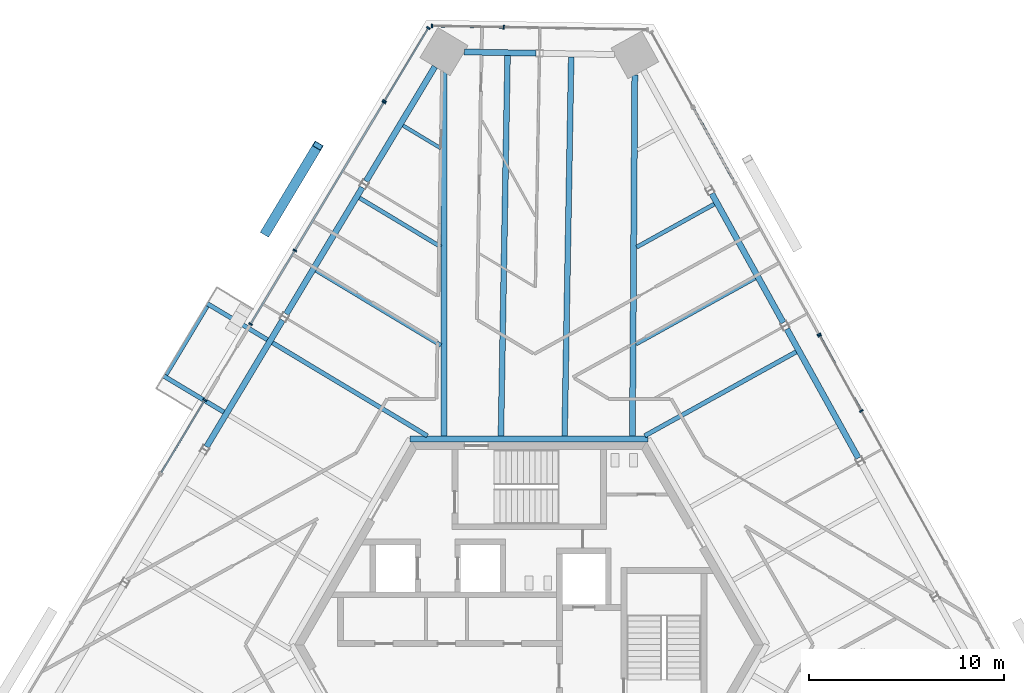
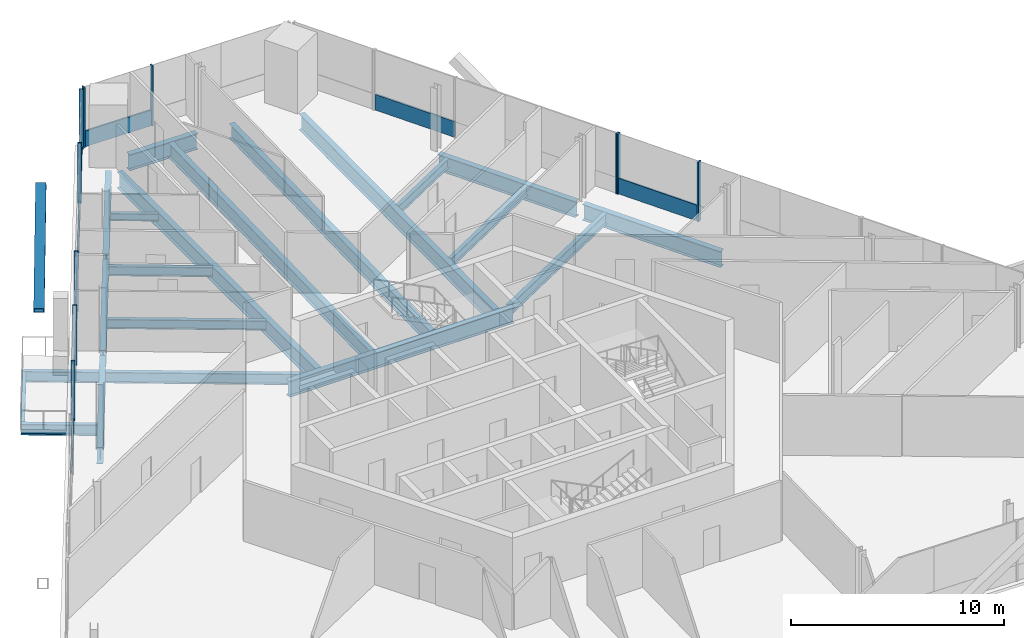
# One storey, part 8 of 19: 21 beams, 19 members, 6 elements without a shape of their own.
"""IFC4 building model written with IfcOpenShell, lengths in metres."""

import ifcopenshell
import ifcopenshell.guid

model = None  # the IFC model being written
_history = None  # IfcOwnerHistory: only IFC2X3 demands one
_inside = {}  # id of a spatial element -> (the spatial element, [elements in it])
_under = {}  # id of a project, library or spatial element -> (it, [spatial elements below it])
_declared = {}  # id of a project -> (the project, [libraries it declares])
_typed = {}  # id of a type object -> (the type object, [elements of that type])
_made_of = {}  # id of a material, layer set ... -> (it, [elements and type objects made of it])


def new_model(schema):
    """Start an empty IFC model of exactly this schema.

    Asked for "IFC4X3", IfcOpenShell would pick the latest addendum, in which some entities
    have other attributes; the version numbers below select the first issue.
    IFC2X3 requires an IfcOwnerHistory on every rooted entity: one is made here for all.
    """
    global model, _history
    if schema == "IFC4X3":
        model = ifcopenshell.file(schema_version=(4, 3, 0, 0))
    else:
        model = ifcopenshell.file(schema=schema)
    _inside.clear()
    _under.clear()
    _declared.clear()
    _typed.clear()
    _made_of.clear()
    _history = None
    if model.schema == "IFC2X3":
        org = make("IfcOrganization", Name="unknown")
        user = make(
            "IfcPersonAndOrganization",
            ThePerson=make("IfcPerson", FamilyName="unknown"),
            TheOrganization=org,
        )
        app = make(
            "IfcApplication",
            ApplicationDeveloper=org,
            Version="unknown",
            ApplicationFullName="unknown",
            ApplicationIdentifier="unknown",
        )
        _history = make(
            "IfcOwnerHistory",
            OwningUser=user,
            OwningApplication=app,
            ChangeAction="ADDED",
            CreationDate=0,
        )
    return model


def make(cls, **values):
    """One entity of the class cls with the attributes given. An attribute that is None is left unset."""
    return model.create_entity(
        cls, **{name: value for name, value in values.items() if value is not None}
    )


def rooted(cls, **values):
    """An entity with a GlobalId (a new one), such as an element, a storey or a relation."""
    return make(cls, GlobalId=ifcopenshell.guid.new(), OwnerHistory=_history, **values)


def si_unit(unit_type, name, prefix=None):
    """IfcSIUnit, for example si_unit("LENGTHUNIT", "METRE", prefix="MILLI")."""
    return make("IfcSIUnit", UnitType=unit_type, Prefix=prefix, Name=name)


def assignment(units):
    """IfcUnitAssignment: the units of a project."""
    return None if units is None else make("IfcUnitAssignment", Units=units)


def point(xyz):
    """IfcCartesianPoint."""
    return None if xyz is None else make("IfcCartesianPoint", Coordinates=xyz)


def direction(xyz):
    """IfcDirection."""
    return None if xyz is None else make("IfcDirection", DirectionRatios=xyz)


def frame(location, z_axis=None, x_axis=None):
    """IfcAxis2Placement3D, a coordinate frame: its origin and axes. An axis left out is left unset."""
    return make(
        "IfcAxis2Placement3D",
        Location=point(location),
        Axis=direction(z_axis),
        RefDirection=direction(x_axis),
    )


def frame_2d(location, x_axis=None):
    """IfcAxis2Placement2D, a coordinate frame in the plane: its origin and x axis."""
    return make(
        "IfcAxis2Placement2D", Location=point(location), RefDirection=direction(x_axis)
    )


def origin():
    """The frame at (0, 0, 0) with its axes left unset."""
    return frame((0.0, 0.0, 0.0))


def origin_2d():
    """The frame at (0, 0) in the plane with its x axis left unset."""
    return frame_2d((0.0, 0.0))


def place(relative_to, where):
    """IfcLocalPlacement: puts the frame where relative to a parent placement (None: the world)."""
    return make(
        "IfcLocalPlacement", PlacementRelTo=relative_to, RelativePlacement=where
    )


def context(
    kind, dimensions, precision=None, world=None, true_north=None, identifier=None
):
    """IfcGeometricRepresentationContext, for example the 3D "Model" context."""
    return make(
        "IfcGeometricRepresentationContext",
        ContextIdentifier=identifier,
        ContextType=kind,
        CoordinateSpaceDimension=dimensions,
        Precision=precision,
        WorldCoordinateSystem=world,
        TrueNorth=true_north,
    )


def subcontext(parent, identifier, kind, view, scale=None):
    """IfcGeometricRepresentationSubContext, for example "Body" below "Model"."""
    return make(
        "IfcGeometricRepresentationSubContext",
        ContextIdentifier=identifier,
        ContextType=kind,
        ParentContext=parent,
        TargetScale=scale,
        TargetView=view,
    )


def project(units=None, contexts=None):
    """IfcProject with its units and contexts."""
    return rooted(
        "IfcProject",
        Name="project",
        RepresentationContexts=contexts,
        UnitsInContext=assignment(units),
    )


def spatial(cls, under=None, at=None, **own):
    """A site, building, storey or space (cls), placed at a placement, below another one or the project."""
    s = rooted(cls, ObjectPlacement=at, **own)
    if under is not None:
        _under.setdefault(under.id(), (under, []))[1].append(s)
    return s


def profile(cls, at=None, kind="AREA", **sizes):
    """A parametric profile (cls). Its sizes go by their IFC names, for example OverallWidth=200.0."""
    return make(cls, ProfileType=kind, Position=at, **sizes)


def rectangle(**sizes):
    """IfcRectangleProfileDef."""
    return profile("IfcRectangleProfileDef", **sizes)


def hollow_rectangle(**sizes):
    """IfcRectangleHollowProfileDef."""
    return profile("IfcRectangleHollowProfileDef", **sizes)


def i_section(**sizes):
    """IfcIShapeProfileDef."""
    return profile("IfcIShapeProfileDef", **sizes)


def extrude(swept, where, along, depth):
    """IfcExtrudedAreaSolid: the profile swept, set in the frame where, extruded along a direction by depth."""
    return make(
        "IfcExtrudedAreaSolid",
        SweptArea=swept,
        Position=where,
        ExtrudedDirection=direction(along),
        Depth=depth,
    )


def shape(context_of_items, identifier, shape_type, items):
    """IfcShapeRepresentation: the items that make up one representation, for example the "Body"."""
    return make(
        "IfcShapeRepresentation",
        ContextOfItems=context_of_items,
        RepresentationIdentifier=identifier,
        RepresentationType=shape_type,
        Items=items,
    )


def source(mapping_origin, context_of_items, identifier, shape_type, items):
    """IfcRepresentationMap: a shape defined once, which mapped items show again and again."""
    return make(
        "IfcRepresentationMap",
        MappingOrigin=mapping_origin,
        MappedRepresentation=shape(context_of_items, identifier, shape_type, items),
    )


def transform(
    local_origin,
    x_axis=None,
    y_axis=None,
    z_axis=None,
    scale=None,
    scale2=None,
    scale3=None,
    uniform=True,
):
    """IfcCartesianTransformationOperator3D, or its non-uniform kind. x_axis, y_axis, z_axis: its Axis1, 2, 3."""
    if uniform:
        return make(
            "IfcCartesianTransformationOperator3D",
            Axis1=direction(x_axis),
            Axis2=direction(y_axis),
            LocalOrigin=point(local_origin),
            Scale=scale,
            Axis3=direction(z_axis),
        )
    return make(
        "IfcCartesianTransformationOperator3DnonUniform",
        Axis1=direction(x_axis),
        Axis2=direction(y_axis),
        LocalOrigin=point(local_origin),
        Scale=scale,
        Axis3=direction(z_axis),
        Scale2=scale2,
        Scale3=scale3,
    )


def mapped(mapping_source, mapping_target):
    """IfcMappedItem: shows the shape of a source again, moved by a transform."""
    return make(
        "IfcMappedItem", MappingSource=mapping_source, MappingTarget=mapping_target
    )


def material(Name=None, Category=None):
    """IfcMaterial."""
    return make("IfcMaterial", Name=Name, Category=Category)


def material_profile(
    of_material, cross_section, Name=None, Category=None, Priority=None
):
    """IfcMaterialProfile: a cross section and its material."""
    return make(
        "IfcMaterialProfile",
        Name=Name,
        Material=of_material,
        Profile=cross_section,
        Priority=Priority,
        Category=Category,
    )


def profile_set(profiles, Name=None, composite=None):
    """IfcMaterialProfileSet."""
    return make(
        "IfcMaterialProfileSet",
        Name=Name,
        MaterialProfiles=profiles,
        CompositeProfile=composite,
    )


def made_of(thing, what):
    """Note that an element or type object is made of a material, layer set ...; save() writes the relation."""
    if what is not None:
        _made_of.setdefault(what.id(), (what, []))[1].append(thing)
    return thing


def type_object(cls, material=None, **own):
    """A type object (cls), such as IfcWallType, which elements share."""
    return made_of(rooted(cls, **own), material)


def element(
    cls,
    number,
    at=None,
    inside=None,
    cuts=None,
    type_object=None,
    material=None,
    context=None,
    identifier="Body",
    shape_type=None,
    held_by="IfcProductDefinitionShape",
    body=None,
    shapes=None,
    **own,
):
    """One element of the class cls, such as IfcWall. Its Tag is "e" and its number.

    at: its placement. inside: the storey or other place that contains it. cuts: it is an
    opening in that element (IfcRelVoidsElement). A single representation is given by context,
    identifier, shape_type and body (its items); several are given by shapes. held_by: the class
    of the entity that holds the representations. save() writes the other relations.
    """
    e = rooted(cls, Tag="e%d" % number, ObjectPlacement=at, **own)
    if body is not None:
        shapes = [shape(context, identifier, shape_type, body)]
    if shapes is not None:
        e.Representation = make(held_by, Representations=shapes)
    if inside is not None:
        _inside.setdefault(inside.id(), (inside, []))[1].append(e)
    if cuts is not None:
        rooted(
            "IfcRelVoidsElement", RelatingBuildingElement=cuts, RelatedOpeningElement=e
        )
    if type_object is not None:
        _typed.setdefault(type_object.id(), (type_object, []))[1].append(e)
    return made_of(e, material)


def aggregate(whole, parts):
    """IfcRelAggregates: a whole, such as a stair, and the parts it consists of."""
    return rooted("IfcRelAggregates", RelatingObject=whole, RelatedObjects=parts)


def save(model, path):
    """Write the relations noted so far, then the file.

    IfcRelAggregates (storeys below a building ...), IfcRelContainedInSpatialStructure (elements
    in a storey), IfcRelDefinesByType, IfcRelAssociatesMaterial and IfcRelDeclares: one each for
    every whole, place, type object, material and project.
    """
    for whole, parts in _under.values():
        aggregate(whole, parts)
    for where, things in _inside.values():
        rooted(
            "IfcRelContainedInSpatialStructure",
            RelatedElements=things,
            RelatingStructure=where,
        )
    for kind, things in _typed.values():
        rooted("IfcRelDefinesByType", RelatedObjects=things, RelatingType=kind)
    for what, things in _made_of.values():
        rooted("IfcRelAssociatesMaterial", RelatedObjects=things, RelatingMaterial=what)
    for by, libraries in _declared.values():
        rooted("IfcRelDeclares", RelatingContext=by, RelatedDefinitions=libraries)
    model.write(path)


model = new_model("IFC4")

# Units and contexts
model_context = context("Model", 3, precision=1e-05, world=origin(), true_north=direction((0.0, 1.0)))
body_context = subcontext(model_context, "Body", "Model", "MODEL_VIEW")
ifc_project = project(units=[si_unit("LENGTHUNIT", "METRE"), si_unit("AREAUNIT", "SQUARE_METRE"), si_unit("VOLUMEUNIT", "CUBIC_METRE"), si_unit("PLANEANGLEUNIT", "RADIAN"), si_unit("MASSUNIT", "GRAM", prefix="KILO")], contexts=[model_context])

# Site, building, storey
site_placement = place(None, origin())
site = spatial("IfcSite", under=ifc_project, at=site_placement, CompositionType="ELEMENT")
building_placement = place(site_placement, origin())
building = spatial("IfcBuilding", under=site, at=building_placement, Name="Triune Harvest Tower", CompositionType="ELEMENT")
storey_placement = place(building_placement, frame((0.0, 0.0, 205.10009765625)))
storey = spatial("IfcBuildingStorey", under=building, at=storey_placement, Name="L53", CompositionType="ELEMENT", Elevation=205.10009765625)

# Curtain wall, member
ifc_material_1 = material(Name="Aluminium bronze anodised", Category="aluminium")
curtain_wall_type_1 = type_object("IfcCurtainWallType", Name="CW-6 Balcony window wall", PredefinedType="NOTDEFINED", material=ifc_material_1)
curtain_wall_1_placement = place(storey_placement, origin())
curtain_wall_1 = element("IfcCurtainWall", 1, at=curtain_wall_1_placement, inside=storey, type_object=curtain_wall_type_1, Name="CW-6 B5-F3 L53 run 1")
ifc_material_2 = material(Name="Aluminium bronze anodised", Category="aluminium")
ifc_material_profile_1 = material_profile(ifc_material_2, rectangle(XDim=0.090087890625, YDim=0.14990234375, at=origin_2d()), Name="TR-6 transom 90 x 150")
ifc_profile_set_1 = profile_set([ifc_material_profile_1], Name="Aluminium bronze anodised")
member_type_1 = type_object("IfcMemberType", Name="TR-6 transom 90 x 150", PredefinedType="USERDEFINED", material=ifc_profile_set_1)
member_1_placement = place(storey_placement, frame((-5.173095703125, 31.537353515625, 0.074951171875), z_axis=(-0.515014754983, -0.857181312296, 0.0), x_axis=(0.857181312296, -0.515014754983, 0.0)))
member_1 = element("IfcMember", 2, at=member_1_placement, type_object=member_type_1, Name="CW-6 transom B5-F3 1.1", ObjectType="TRANSOM", PredefinedType="USERDEFINED", context=body_context, shape_type="SweptSolid", body=[
    extrude(rectangle(XDim=0.090087890625, YDim=0.14990234375, at=origin_2d()), origin(), (0.0, 0.0, 1.0), 4.288330078125),
])

ifc_material_3 = material(Name="Aluminium bronze anodised", Category="aluminium")
curtain_wall_type_2 = type_object("IfcCurtainWallType", Name="CW-10 Balcony window wall with insulated spandrel infill", PredefinedType="NOTDEFINED", material=ifc_material_3)
curtain_wall_2_placement = place(storey_placement, origin())
curtain_wall_2 = element("IfcCurtainWall", 3, at=curtain_wall_2_placement, inside=storey, type_object=curtain_wall_type_2, Name="CW-10 B5-F3 L53 run 1001")
member_2_placement = place(storey_placement, frame((-12.01123046875, 20.15673828125, 0.074951171875), z_axis=(-0.515026868945, -0.857174033826, 0.0), x_axis=(0.857174033826, -0.515026868945, 0.0)))
member_2 = element("IfcMember", 4, at=member_2_placement, type_object=member_type_1, Name="CW-10 transom B5-F3 1001.2", ObjectType="TRANSOM", PredefinedType="USERDEFINED", context=body_context, shape_type="SweptSolid", body=[
    extrude(rectangle(XDim=0.090087890625, YDim=0.14990234375, at=origin_2d()), origin(), (0.0, 0.0, 1.0), 4.32568359375),
])

curtain_wall_3_placement = place(storey_placement, origin())
curtain_wall_3 = element("IfcCurtainWall", 5, at=curtain_wall_3_placement, inside=storey, type_object=curtain_wall_type_1, Name="CW-6 B5-F3 L53 run 2")
member_3_placement = place(storey_placement, frame((-16.613525390625, 12.496826171875, 0.074951171875), z_axis=(-0.515097413194, -0.857131643869, 0.0), x_axis=(0.857131643869, -0.515097413194, 0.0)))
member_3 = element("IfcMember", 6, at=member_3_placement, type_object=member_type_1, Name="CW-6 transom B5-F3 2.1", ObjectType="TRANSOM", PredefinedType="USERDEFINED", context=body_context, shape_type="SweptSolid", body=[
    extrude(rectangle(XDim=0.090087890625, YDim=0.14990234375, at=origin_2d()), origin(), (0.0, 0.0, 1.0), 4.295654296875),
])

# Beams
ifc_material_4 = material(Name="Steel ASTM A992 Gr 50", Category="steel")
ifc_material_profile_2 = material_profile(ifc_material_4, i_section(OverallWidth=0.3046875, OverallDepth=0.914306640625, WebThickness=0.0166015625, FlangeThickness=0.02587890625, at=origin_2d()), Name="W36x160")
ifc_profile_set_2 = profile_set([ifc_material_profile_2], Name="Steel ASTM A992 Gr 50")
beam_type_1 = type_object("IfcBeamType", Name="CG-1 Core ring girder W36x160", PredefinedType="BEAM", material=ifc_profile_set_2)
shared_shape_1 = source(origin(), body_context, "Body", "SweptSolid", [
    extrude(i_section(OverallWidth=0.3046875, OverallDepth=0.914306640625, WebThickness=0.0166015625, FlangeThickness=0.02587890625, at=origin_2d()), origin(), (0.0, 0.0, 1.0), 12.17578125),
])
beam_1_placement = place(storey_placement, frame((6.087890625, 10.544677734375, -0.6171875), z_axis=(-1.0, 0.0, 0.0), x_axis=(0.0, -1.0, 0.0)))
element("IfcBeam", 7, at=beam_1_placement, inside=storey, type_object=beam_type_1, Name="beam/L53/CG2", PredefinedType="BEAM", context=body_context, shape_type="MappedRepresentation", body=[
    mapped(shared_shape_1, transform((0.0, 0.0, 0.0), scale=1.0)),
])
ifc_material_5 = material(Name="Steel ASTM A992 Gr 50", Category="steel")
ifc_material_profile_3 = material_profile(ifc_material_5, i_section(OverallWidth=0.3046875, OverallDepth=0.914306640625, WebThickness=0.0166015625, FlangeThickness=0.02587890625, at=origin_2d()), Name="W36x160")
ifc_profile_set_3 = profile_set([ifc_material_profile_3], Name="Steel ASTM A992 Gr 50")
beam_type_2 = type_object("IfcBeamType", Name="SB-1 Spandrel beam W36x160", PredefinedType="SPANDREL", material=ifc_profile_set_3)
shared_shape_2 = source(origin(), body_context, "Body", "SweptSolid", [
    extrude(i_section(OverallWidth=0.3046875, OverallDepth=0.914306640625, WebThickness=0.0166015625, FlangeThickness=0.02587890625, at=origin_2d()), origin(), (0.0, 0.0, 1.0), 7.556396484375),
])
for number, where, z_axis, x_axis, name in (
    (8, (16.855712890625, 9.555419921875, -0.6171875), (-0.484806011206, 0.874621707654, 0.0), (-0.874621707654, -0.484806011206, 0.0), "beam/L53/SB4"),
    (9, (13.0126953125, 16.488525390625, -0.6171875), (-0.484830726301, 0.874608007529, 0.0), (-0.874608007529, -0.484830726301, 0.0), "beam/L53/SB5"),
):
    element("IfcBeam", number, at=place(storey_placement, frame(where, z_axis=z_axis, x_axis=x_axis)), inside=storey, type_object=beam_type_2, Name=name, PredefinedType="SPANDREL", context=body_context, shape_type="MappedRepresentation", body=[
        mapped(shared_shape_2, transform((0.0, 0.0, 0.0), scale=1.0)),
    ])
shared_shape_3 = source(origin(), body_context, "Body", "SweptSolid", [
    extrude(i_section(OverallWidth=0.3046875, OverallDepth=0.914306640625, WebThickness=0.0166015625, FlangeThickness=0.02587890625, at=origin_2d()), origin(), (0.0, 0.0, 1.0), 3.66357421875),
])
beam_2_placement = place(storey_placement, frame((0.343017578125, 30.281494140625, -0.6171875), z_axis=(-0.999846408449, 0.01752596677, 0.0), x_axis=(-0.01752596677, -0.999846408449, 0.0)))
element("IfcBeam", 10, at=beam_2_placement, inside=storey, type_object=beam_type_2, Name="beam/L53/SB8", PredefinedType="SPANDREL", context=body_context, shape_type="MappedRepresentation", body=[
    mapped(shared_shape_3, transform((0.0, 0.0, 0.0), scale=1.0)),
])
shared_shape_4 = source(origin(), body_context, "Body", "SweptSolid", [
    extrude(i_section(OverallWidth=0.3046875, OverallDepth=0.914306640625, WebThickness=0.0166015625, FlangeThickness=0.02587890625, at=origin_2d()), origin(), (0.0, 0.0, 1.0), 6.842041015625),
])
beam_3_placement = place(storey_placement, frame((-4.822509765625, 29.59228515625, -0.6171875), z_axis=(-0.515041383774, -0.857165312527, 0.0), x_axis=(0.857165312527, -0.515041383774, 0.0)))
element("IfcBeam", 11, at=beam_3_placement, inside=storey, type_object=beam_type_2, Name="beam/L53/SB9", PredefinedType="SPANDREL", context=body_context, shape_type="MappedRepresentation", body=[
    mapped(shared_shape_4, transform((0.0, 0.0, 0.0), scale=1.0)),
])
shared_shape_5 = source(origin(), body_context, "Body", "SweptSolid", [
    extrude(i_section(OverallWidth=0.3046875, OverallDepth=0.914306640625, WebThickness=0.0166015625, FlangeThickness=0.02587890625, at=origin_2d()), origin(), (0.0, 0.0, 1.0), 7.556640625),
])
for number, where, z_axis, x_axis, name in (
    (12, (-8.537353515625, 23.409912109375, -0.6171875), (-0.515027794287, -0.857173477839, 0.0), (0.857173477839, -0.515027794287, 0.0), "beam/L53/SB10"),
    (13, (-12.6201171875, 16.614990234375, -0.6171875), (-0.515027794287, -0.857173477839, 0.0), (0.857173477839, -0.515027794287, 0.0), "beam/L53/SB11"),
):
    element("IfcBeam", number, at=place(storey_placement, frame(where, z_axis=z_axis, x_axis=x_axis)), inside=storey, type_object=beam_type_2, Name=name, PredefinedType="SPANDREL", context=body_context, shape_type="MappedRepresentation", body=[
        mapped(shared_shape_5, transform((0.0, 0.0, 0.0), scale=1.0)),
    ])
ifc_material_6 = material(Name="Steel ASTM A992 Gr 50", Category="steel")
ifc_material_profile_4 = material_profile(ifc_material_6, i_section(OverallWidth=0.307373046875, OverallDepth=0.922119140625, WebThickness=0.018310546875, FlangeThickness=0.030029296875, at=origin_2d()), Name="W36x182")
ifc_profile_set_4 = profile_set([ifc_material_profile_4], Name="Steel ASTM A992 Gr 50")
beam_type_3 = type_object("IfcBeamType", Name="HG-2 Hip girder W36x182", PredefinedType="BEAM", material=ifc_profile_set_4)
shared_shape_6 = source(origin(), body_context, "Body", "SweptSolid", [
    extrude(i_section(OverallWidth=0.307373046875, OverallDepth=0.922119140625, WebThickness=0.018310546875, FlangeThickness=0.030029296875, at=origin_2d()), origin(), (0.0, 0.0, 1.0), 18.463623046875),
])
beam_4_placement = place(storey_placement, frame((5.409423828125, 29.16015625, -0.62109375), z_axis=(-0.006518869748, -0.999978751943, 0.0), x_axis=(0.999978751943, -0.006518869748, 0.0)))
element("IfcBeam", 14, at=beam_4_placement, inside=storey, type_object=beam_type_3, Name="beam/L53/HG3", PredefinedType="BEAM", context=body_context, shape_type="MappedRepresentation", body=[
    mapped(shared_shape_6, transform((0.0, 0.0, 0.0), scale=1.0)),
])
shared_shape_7 = source(origin(), body_context, "Body", "SweptSolid", [
    extrude(i_section(OverallWidth=0.307373046875, OverallDepth=0.922119140625, WebThickness=0.018310546875, FlangeThickness=0.030029296875, at=origin_2d()), origin(), (0.0, 0.0, 1.0), 18.61669921875),
])
beam_5_placement = place(storey_placement, frame((-4.359130859375, 29.313720703125, -0.62109375), z_axis=(0.0, -1.0, 0.0), x_axis=(1.0, 0.0, 0.0)))
element("IfcBeam", 15, at=beam_5_placement, inside=storey, type_object=beam_type_3, Name="beam/L53/HG4", PredefinedType="BEAM", context=body_context, shape_type="MappedRepresentation", body=[
    mapped(shared_shape_7, transform((0.0, 0.0, 0.0), scale=1.0)),
])
ifc_material_7 = material(Name="Steel ASTM A992 Gr 50", Category="steel")
ifc_material_profile_5 = material_profile(ifc_material_7, i_section(OverallWidth=0.180908203125, OverallDepth=0.41650390625, WebThickness=0.010986328125, FlangeThickness=0.01806640625, at=origin_2d()), Name="W16x57")
ifc_profile_set_5 = profile_set([ifc_material_profile_5], Name="Steel ASTM A992 Gr 50")
beam_type_4 = type_object("IfcBeamType", Name="JT-1 Floor joist W16x57", PredefinedType="JOIST", material=ifc_profile_set_5)
shared_shape_8 = source(origin(), body_context, "Body", "SweptSolid", [
    extrude(i_section(OverallWidth=0.180908203125, OverallDepth=0.41650390625, WebThickness=0.010986328125, FlangeThickness=0.01806640625, at=origin_2d()), origin(), (0.0, 0.0, 1.0), 2.266357421875),
])
beam_6_placement = place(storey_placement, frame((-6.455322265625, 26.578857421875, -0.368408203125), z_axis=(0.857169580884, -0.515034280031, 0.0), x_axis=(0.515034280031, 0.857169580884, 0.0)))
element("IfcBeam", 16, at=beam_6_placement, inside=storey, type_object=beam_type_4, Name="beam/L53/JT13", PredefinedType="JOIST", context=body_context, shape_type="MappedRepresentation", body=[
    mapped(shared_shape_8, transform((0.0, 0.0, 0.0), scale=1.0)),
])
ifc_material_8 = material(Name="Steel ASTM A992 Gr 50", Category="steel")
ifc_material_profile_6 = material_profile(ifc_material_8, i_section(OverallWidth=0.22900390625, OverallDepth=0.612060546875, WebThickness=0.011962890625, FlangeThickness=0.01953125, at=origin_2d()), Name="W24x84")
ifc_profile_set_6 = profile_set([ifc_material_profile_6], Name="Steel ASTM A992 Gr 50")
beam_type_5 = type_object("IfcBeamType", Name="JT-3 Floor joist W24x84", PredefinedType="JOIST", material=ifc_profile_set_6)
shared_shape_9 = source(origin(), body_context, "Body", "SweptSolid", [
    extrude(i_section(OverallWidth=0.22900390625, OverallDepth=0.612060546875, WebThickness=0.011962890625, FlangeThickness=0.01953125, at=origin_2d()), origin(), (0.0, 0.0, 1.0), 9.247314453125),
])
beam_7_placement = place(storey_placement, frame((-13.136474609375, 15.459716796875, -0.46630859375), z_axis=(0.857168952485, -0.515035325872, 0.0), x_axis=(0.515035325872, 0.857168952485, 0.0)))
element("IfcBeam", 17, at=beam_7_placement, inside=storey, type_object=beam_type_5, Name="beam/L53/JT16", PredefinedType="JOIST", context=body_context, shape_type="MappedRepresentation", body=[
    mapped(shared_shape_9, transform((0.0, 0.0, 0.0), scale=1.0)),
])
shared_shape_10 = source(origin(), body_context, "Body", "SweptSolid", [
    extrude(i_section(OverallWidth=0.22900390625, OverallDepth=0.612060546875, WebThickness=0.011962890625, FlangeThickness=0.01953125, at=origin_2d()), origin(), (0.0, 0.0, 1.0), 8.85888671875),
])
beam_8_placement = place(storey_placement, frame((13.66796875, 14.991943359375, -0.46630859375), z_axis=(-0.874614472557, -0.484819063563, 0.0), x_axis=(0.484819063563, -0.874614472557, 0.0)))
element("IfcBeam", 18, at=beam_8_placement, inside=storey, type_object=beam_type_5, Name="beam/L53/JT7", PredefinedType="JOIST", context=body_context, shape_type="MappedRepresentation", body=[
    mapped(shared_shape_10, transform((0.0, 0.0, 0.0), scale=1.0)),
])
ifc_material_9 = material(Name="Steel ASTM A992 Gr 50", Category="steel")
ifc_material_profile_7 = material_profile(ifc_material_9, i_section(OverallWidth=0.2099609375, OverallDepth=0.535888671875, WebThickness=0.010986328125, FlangeThickness=0.017333984375, at=origin_2d()), Name="W21x68")
ifc_profile_set_7 = profile_set([ifc_material_profile_7], Name="Steel ASTM A992 Gr 50")
beam_type_6 = type_object("IfcBeamType", Name="JT-2 Floor joist W21x68", PredefinedType="JOIST", material=ifc_profile_set_7)
shared_shape_11 = source(origin(), body_context, "Body", "SweptSolid", [
    extrude(i_section(OverallWidth=0.2099609375, OverallDepth=0.535888671875, WebThickness=0.010986328125, FlangeThickness=0.017333984375, at=origin_2d()), origin(), (0.0, 0.0, 1.0), 6.97265625),
])
beam_9_placement = place(storey_placement, frame((11.57177734375, 18.773681640625, -0.427978515625), z_axis=(-0.874620980943, -0.484807322236, 0.0), x_axis=(0.484807322236, -0.874620980943, 0.0)))
element("IfcBeam", 19, at=beam_9_placement, inside=storey, type_object=beam_type_6, Name="beam/L53/JT8", PredefinedType="JOIST", context=body_context, shape_type="MappedRepresentation", body=[
    mapped(shared_shape_11, transform((0.0, 0.0, 0.0), scale=1.0)),
])
shared_shape_12 = source(origin(), body_context, "Body", "SweptSolid", [
    extrude(i_section(OverallWidth=0.2099609375, OverallDepth=0.535888671875, WebThickness=0.010986328125, FlangeThickness=0.017333984375, at=origin_2d()), origin(), (0.0, 0.0, 1.0), 4.538818359375),
])
beam_10_placement = place(storey_placement, frame((9.475341796875, 22.555419921875, -0.427978515625), z_axis=(-0.874621193693, -0.484806938423, 0.0), x_axis=(0.484806938423, -0.874621193693, 0.0)))
element("IfcBeam", 20, at=beam_10_placement, inside=storey, type_object=beam_type_6, Name="beam/L53/JT9", PredefinedType="JOIST", context=body_context, shape_type="MappedRepresentation", body=[
    mapped(shared_shape_12, transform((0.0, 0.0, 0.0), scale=1.0)),
])
ifc_material_10 = material(Name="Steel ASTM A992 Gr 50", Category="steel")
ifc_material_profile_8 = material_profile(ifc_material_10, i_section(OverallWidth=0.2919921875, OverallDepth=0.8408203125, WebThickness=0.0146484375, FlangeThickness=0.021728515625, at=origin_2d()), Name="W33x130")
ifc_profile_set_8 = profile_set([ifc_material_profile_8], Name="Steel ASTM A992 Gr 50")
beam_type_7 = type_object("IfcBeamType", Name="JT-6 Floor joist W33x130", PredefinedType="JOIST", material=ifc_profile_set_8)
shared_shape_13 = source(origin(), body_context, "Body", "SweptSolid", [
    extrude(i_section(OverallWidth=0.2919921875, OverallDepth=0.8408203125, WebThickness=0.0146484375, FlangeThickness=0.021728515625, at=origin_2d()), origin(), (0.0, 0.0, 1.0), 19.403564453125),
])
beam_11_placement = place(storey_placement, frame((2.155029296875, 30.09765625, -0.58056640625), z_axis=(-0.017451567023, -0.999847709808, 0.0), x_axis=(0.999847709808, -0.017451567023, 0.0)))
element("IfcBeam", 21, at=beam_11_placement, inside=storey, type_object=beam_type_7, Name="beam/L53/JT11", PredefinedType="JOIST", context=body_context, shape_type="MappedRepresentation", body=[
    mapped(shared_shape_13, transform((0.0, 0.0, 0.0), scale=1.0)),
])
shared_shape_14 = source(origin(), body_context, "Body", "SweptSolid", [
    extrude(i_section(OverallWidth=0.2919921875, OverallDepth=0.8408203125, WebThickness=0.0146484375, FlangeThickness=0.021728515625, at=origin_2d()), origin(), (0.0, 0.0, 1.0), 19.460205078125),
])
beam_12_placement = place(storey_placement, frame((-1.103515625, 30.154296875, -0.58056640625), z_axis=(-0.017450947707, -0.999847720618, 0.0), x_axis=(0.999847720618, -0.017450947707, 0.0)))
element("IfcBeam", 22, at=beam_12_placement, inside=storey, type_object=beam_type_7, Name="beam/L53/JT12", PredefinedType="JOIST", context=body_context, shape_type="MappedRepresentation", body=[
    mapped(shared_shape_14, transform((0.0, 0.0, 0.0), scale=1.0)),
])
shared_shape_15 = source(origin(), body_context, "Body", "SweptSolid", [
    extrude(i_section(OverallWidth=0.2099609375, OverallDepth=0.535888671875, WebThickness=0.010986328125, FlangeThickness=0.017333984375, at=origin_2d()), origin(), (0.0, 0.0, 1.0), 4.864501953125),
])
beam_13_placement = place(storey_placement, frame((-8.682373046875, 22.87255859375, -0.427978515625), z_axis=(0.857169483424, -0.515034442233, 0.0), x_axis=(0.515034442233, 0.857169483424, 0.0)))
element("IfcBeam", 23, at=beam_13_placement, inside=storey, type_object=beam_type_6, Name="beam/L53/JT14", PredefinedType="JOIST", context=body_context, shape_type="MappedRepresentation", body=[
    mapped(shared_shape_15, transform((0.0, 0.0, 0.0), scale=1.0)),
])
shared_shape_16 = source(origin(), body_context, "Body", "SweptSolid", [
    extrude(i_section(OverallWidth=0.2099609375, OverallDepth=0.535888671875, WebThickness=0.010986328125, FlangeThickness=0.017333984375, at=origin_2d()), origin(), (0.0, 0.0, 1.0), 7.462646484375),
])
beam_14_placement = place(storey_placement, frame((-10.909423828125, 19.166259765625, -0.427978515625), z_axis=(0.857169453827, -0.515034491492, 0.0), x_axis=(0.515034491492, 0.857169453827, 0.0)))
element("IfcBeam", 24, at=beam_14_placement, inside=storey, type_object=beam_type_6, Name="beam/L53/JT15", PredefinedType="JOIST", context=body_context, shape_type="MappedRepresentation", body=[
    mapped(shared_shape_16, transform((0.0, 0.0, 0.0), scale=1.0)),
])

# Member
ifc_material_11 = material(Name="Steel ASTM A572 Gr 50", Category="steel")
ifc_material_profile_9 = material_profile(ifc_material_11, hollow_rectangle(XDim=0.5, YDim=0.5, WallThickness=0.030029296875, at=origin_2d()), Name="Box 500x500x30")
ifc_profile_set_9 = profile_set([ifc_material_profile_9], Name="Steel ASTM A572 Gr 50")
member_type_2 = type_object("IfcMemberType", Name="BR-3 Brace Box 500x500x30", PredefinedType="BRACE", material=ifc_profile_set_9)
shared_shape_17 = source(origin(), body_context, "Body", "SweptSolid", [
    extrude(hollow_rectangle(XDim=0.5, YDim=0.5, WallThickness=0.030029296875, at=origin_2d()), origin(), (0.0, 0.0, 1.0), 6.302734375),
])
member_4_placement = place(storey_placement, frame((-13.478515625, 21.1123046875, 0.0), z_axis=(0.422762518026, 0.703597065918, 0.571159366712), x_axis=(-0.857167973286, 0.515036955541, 0.0)))
element("IfcMember", 25, at=member_4_placement, inside=storey, type_object=member_type_2, Name="brace/B5-F3/d2/8", PredefinedType="BRACE", context=body_context, shape_type="MappedRepresentation", body=[
    mapped(shared_shape_17, transform((0.0, 0.0, 0.0), scale=1.0)),
])

# Curtain wall, members
ifc_material_12 = material(Name="Aluminium bronze anodised", Category="aluminium")
curtain_wall_type_3 = type_object("IfcCurtainWallType", Name="CW-1 Tower stick curtain wall", PredefinedType="NOTDEFINED", material=ifc_material_12)
curtain_wall_4_placement = place(storey_placement, origin())
curtain_wall_4 = element("IfcCurtainWall", 26, at=curtain_wall_4_placement, inside=storey, type_object=curtain_wall_type_3, Name="CW-1 B5-F1 L53 run 2001")
ifc_material_13 = material(Name="Aluminium bronze anodised", Category="aluminium")
ifc_material_profile_10 = material_profile(ifc_material_13, rectangle(XDim=0.199951171875, YDim=0.074951171875, at=origin_2d()), Name="MU-1 mullion 75 x 200")
ifc_profile_set_10 = profile_set([ifc_material_profile_10], Name="Aluminium bronze anodised")
member_type_3 = type_object("IfcMemberType", Name="MU-1 mullion 75 x 200", PredefinedType="MULLION", material=ifc_profile_set_10)
shared_shape_18 = source(origin(), body_context, "Body", "SweptSolid", [
    extrude(rectangle(XDim=0.199951171875, YDim=0.074951171875, at=origin_2d()), origin(), (0.0, 0.0, 1.0), 3.43994140625),
])
member_5_placement = place(storey_placement, frame((17.00732421875, 11.968017578125, 0.0), z_axis=(0.0, 0.0, 1.0), x_axis=(-0.87461998417, -0.48480912047, 0.0)))
member_5 = element("IfcMember", 27, at=member_5_placement, type_object=member_type_3, Name="CW-1 mullion B5-F1 2001.3", PredefinedType="MULLION", context=body_context, shape_type="MappedRepresentation", body=[
    mapped(shared_shape_18, transform((0.0, 0.0, 0.0), scale=1.0)),
])
member_6_placement = place(storey_placement, frame((14.870849609375, 15.822265625, 0.0), z_axis=(0.0, 0.0, 1.0), x_axis=(-0.87461998417, -0.48480912047, 0.0)))
member_6 = element("IfcMember", 28, at=member_6_placement, type_object=member_type_3, Name="CW-1 mullion B5-F1 2001.4", PredefinedType="MULLION", context=body_context, shape_type="MappedRepresentation", body=[
    mapped(shared_shape_18, transform((0.0, 0.0, 0.0), scale=1.0)),
])

# Curtain wall, member
ifc_material_14 = material(Name="Aluminium bronze anodised", Category="aluminium")
curtain_wall_type_4 = type_object("IfcCurtainWallType", Name="CW-7 Tower stick curtain wall with insulated spandrel infill", PredefinedType="NOTDEFINED", material=ifc_material_14)
curtain_wall_5_placement = place(storey_placement, origin())
curtain_wall_5 = element("IfcCurtainWall", 29, at=curtain_wall_5_placement, inside=storey, type_object=curtain_wall_type_4, Name="CW-7 B5-F1 L53 run 3001")
member_7_placement = place(storey_placement, frame((14.83447265625, 15.8876953125, 0.0), z_axis=(0.0, 0.0, 1.0), x_axis=(-0.874621401605, -0.484806563337, 0.0)))
member_7 = element("IfcMember", 30, at=member_7_placement, type_object=member_type_3, Name="CW-7 mullion B5-F1 3001.1", PredefinedType="MULLION", context=body_context, shape_type="MappedRepresentation", body=[
    mapped(shared_shape_18, transform((0.0, 0.0, 0.0), scale=1.0)),
])

# Curtain wall, members
curtain_wall_6_placement = place(storey_placement, origin())
curtain_wall_6 = element("IfcCurtainWall", 31, at=curtain_wall_6_placement, inside=storey, type_object=curtain_wall_type_3, Name="CW-1 B5-F2 L53 run 1")
member_8_placement = place(storey_placement, frame((-1.298583984375, 31.612548828125, 0.0), z_axis=(0.0, 0.0, 1.0), x_axis=(-0.017446318452, -0.999847801404, 0.0)))
member_8 = element("IfcMember", 32, at=member_8_placement, type_object=member_type_3, Name="CW-1 mullion B5-F2 1.3", PredefinedType="MULLION", context=body_context, shape_type="MappedRepresentation", body=[
    mapped(shared_shape_18, transform((0.0, 0.0, 0.0), scale=1.0)),
])
member_9_placement = place(storey_placement, frame((-4.960693359375, 31.676513671875, 0.0), z_axis=(0.0, 0.0, 1.0), x_axis=(-0.017446318452, -0.999847801404, 0.0)))
member_9 = element("IfcMember", 33, at=member_9_placement, type_object=member_type_3, Name="CW-1 mullion B5-F2 1.4", PredefinedType="MULLION", context=body_context, shape_type="MappedRepresentation", body=[
    mapped(shared_shape_18, transform((0.0, 0.0, 0.0), scale=1.0)),
])

# Member
ifc_material_15 = material(Name="Aluminium bronze anodised", Category="aluminium")
ifc_material_profile_11 = material_profile(ifc_material_15, rectangle(XDim=0.199951171875, YDim=0.074951171875, at=origin_2d()), Name="MU-6 mullion 75 x 200")
ifc_profile_set_11 = profile_set([ifc_material_profile_11], Name="Aluminium bronze anodised")
member_type_4 = type_object("IfcMemberType", Name="MU-6 mullion 75 x 200", PredefinedType="MULLION", material=ifc_profile_set_11)
shared_shape_19 = source(origin(), body_context, "Body", "SweptSolid", [
    extrude(rectangle(XDim=0.199951171875, YDim=0.074951171875, at=origin_2d()), origin(), (0.0, 0.0, 1.0), 3.43994140625),
])
member_10_placement = place(storey_placement, frame((-5.15380859375, 31.5693359375, 0.0), z_axis=(0.0, 0.0, 1.0), x_axis=(0.857175281311, -0.515024792713, 0.0)))
member_10 = element("IfcMember", 34, at=member_10_placement, type_object=member_type_4, Name="CW-6 mullion B5-F3 1.1", PredefinedType="MULLION", context=body_context, shape_type="MappedRepresentation", body=[
    mapped(shared_shape_19, transform((0.0, 0.0, 0.0), scale=1.0)),
])

member_11_placement = place(storey_placement, frame((-7.40087890625, 27.829345703125, 0.0), z_axis=(0.0, 0.0, 1.0), x_axis=(0.857175281311, -0.515024792713, 0.0)))
member_11 = element("IfcMember", 35, at=member_11_placement, type_object=member_type_4, Name="CW-6 mullion B5-F3 1.2", PredefinedType="MULLION", context=body_context, shape_type="MappedRepresentation", body=[
    mapped(shared_shape_19, transform((0.0, 0.0, 0.0), scale=1.0)),
])

aggregate(curtain_wall_1, [member_10, member_11, member_1])

member_12_placement = place(storey_placement, frame((-7.439453125, 27.76513671875, 0.0), z_axis=(0.0, 0.0, 1.0), x_axis=(0.857165796263, -0.515040578709, 0.0)))
member_12 = element("IfcMember", 36, at=member_12_placement, type_object=member_type_4, Name="CW-10 mullion B5-F3 1001.1", PredefinedType="MULLION", context=body_context, shape_type="MappedRepresentation", body=[
    mapped(shared_shape_19, transform((0.0, 0.0, 0.0), scale=1.0)),
])

member_13_placement = place(storey_placement, frame((-11.99169921875, 20.18896484375, 0.0), z_axis=(0.0, 0.0, 1.0), x_axis=(0.857165796263, -0.515040578709, 0.0)))
member_13 = element("IfcMember", 37, at=member_13_placement, type_object=member_type_4, Name="CW-10 mullion B5-F3 1001.3", PredefinedType="MULLION", context=body_context, shape_type="MappedRepresentation", body=[
    mapped(shared_shape_19, transform((0.0, 0.0, 0.0), scale=1.0)),
])

member_14_placement = place(storey_placement, frame((-14.25830078125, 16.416748046875, 0.0), z_axis=(0.0, 0.0, 1.0), x_axis=(0.857165796263, -0.515040578709, 0.0)))
member_14 = element("IfcMember", 38, at=member_14_placement, type_object=member_type_4, Name="CW-10 mullion B5-F3 1001.4", PredefinedType="MULLION", context=body_context, shape_type="MappedRepresentation", body=[
    mapped(shared_shape_19, transform((0.0, 0.0, 0.0), scale=1.0)),
])

member_15_placement = place(storey_placement, frame((-16.59423828125, 12.529052734375, 0.0), z_axis=(0.0, 0.0, 1.0), x_axis=(0.85716219294, -0.515046575559, 0.0)))
member_15 = element("IfcMember", 39, at=member_15_placement, type_object=member_type_4, Name="CW-6 mullion B5-F3 2.1", PredefinedType="MULLION", context=body_context, shape_type="MappedRepresentation", body=[
    mapped(shared_shape_19, transform((0.0, 0.0, 0.0), scale=1.0)),
])

aggregate(curtain_wall_3, [member_15, member_3])

# Beams
ifc_material_16 = material(Name="Steel ASTM A992 Gr 50", Category="steel")
ifc_material_profile_12 = material_profile(ifc_material_16, i_section(OverallWidth=0.22900390625, OverallDepth=0.612060546875, WebThickness=0.011962890625, FlangeThickness=0.01953125, at=origin_2d()), Name="W24x84")
ifc_profile_set_12 = profile_set([ifc_material_profile_12], Name="Steel ASTM A992 Gr 50")
beam_type_8 = type_object("IfcBeamType", Name="BJ-3 Balcony cantilever joist W24x84", PredefinedType="JOIST", material=ifc_profile_set_12)
shared_shape_20 = source(origin(), body_context, "Body", "SweptSolid", [
    extrude(i_section(OverallWidth=0.22900390625, OverallDepth=0.612060546875, WebThickness=0.011962890625, FlangeThickness=0.01953125, at=origin_2d()), origin(), (0.0, 0.0, 1.0), 3.59765625),
])
beam_15_placement = place(storey_placement, frame((-13.397705078125, 15.61669921875, -0.46630859375), z_axis=(-0.857151436467, 0.515064476509, 0.0), x_axis=(-0.515064476509, -0.857151436467, 0.0)))
element("IfcBeam", 40, at=beam_15_placement, inside=storey, type_object=beam_type_8, Name="Balcony cantilever joist B5-F3 L53.5a", PredefinedType="JOIST", context=body_context, shape_type="MappedRepresentation", body=[
    mapped(shared_shape_20, transform((0.0, 0.0, 0.0), scale=1.0)),
])
shared_shape_21 = source(origin(), body_context, "Body", "SweptSolid", [
    extrude(i_section(OverallWidth=0.22900390625, OverallDepth=0.612060546875, WebThickness=0.011962890625, FlangeThickness=0.01953125, at=origin_2d()), origin(), (0.0, 0.0, 1.0), 3.597900390625),
])
beam_16_placement = place(storey_placement, frame((-15.62451171875, 11.910400390625, -0.46630859375), z_axis=(-0.85716943782, 0.515034518133, 0.0), x_axis=(-0.515034518133, -0.85716943782, 0.0)))
element("IfcBeam", 41, at=beam_16_placement, inside=storey, type_object=beam_type_8, Name="Balcony cantilever joist B5-F3 L53.5b", PredefinedType="JOIST", context=body_context, shape_type="MappedRepresentation", body=[
    mapped(shared_shape_21, transform((0.0, 0.0, 0.0), scale=1.0)),
])

# Member
ifc_material_17 = material(Name="Aluminium bronze anodised", Category="aluminium")
ifc_material_profile_13 = material_profile(ifc_material_17, rectangle(XDim=0.090087890625, YDim=0.89990234375, at=origin_2d()), Name="TR-1 transom 90 x 900")
ifc_profile_set_13 = profile_set([ifc_material_profile_13], Name="Aluminium bronze anodised")
member_type_5 = type_object("IfcMemberType", Name="TR-1 transom 90 x 900", PredefinedType="USERDEFINED", material=ifc_profile_set_13)
shared_shape_22 = source(origin(), body_context, "Body", "SweptSolid", [
    extrude(rectangle(XDim=0.090087890625, YDim=0.89990234375, at=origin_2d()), origin(), (0.0, 0.0, 1.0), 3.58740234375),
])
member_16_placement = place(storey_placement, frame((-1.336181640625, 31.61328125, 0.449951171875), z_axis=(-0.999848228853, 0.017421804151, 0.0), x_axis=(-0.017421804151, -0.999848228853, 0.0)))
member_16 = element("IfcMember", 42, at=member_16_placement, type_object=member_type_5, Name="CW-1 transom B5-F2 1.2", ObjectType="TRANSOM", PredefinedType="USERDEFINED", context=body_context, shape_type="MappedRepresentation", body=[
    mapped(shared_shape_22, transform((0.0, 0.0, 0.0), scale=1.0)),
])

aggregate(curtain_wall_6, [member_8, member_9, member_16])

shared_shape_23 = source(origin(), body_context, "Body", "SweptSolid", [
    extrude(rectangle(XDim=0.090087890625, YDim=0.89990234375, at=origin_2d()), origin(), (0.0, 0.0, 1.0), 4.331787109375),
])
member_17_placement = place(storey_placement, frame((16.989013671875, 12.000732421875, 0.449951171875), z_axis=(-0.484819628701, 0.874614159287, 0.0), x_axis=(-0.874614159287, -0.484819628701, 0.0)))
member_17 = element("IfcMember", 43, at=member_17_placement, type_object=member_type_5, Name="CW-1 transom B5-F1 2001.2", ObjectType="TRANSOM", PredefinedType="USERDEFINED", context=body_context, shape_type="MappedRepresentation", body=[
    mapped(shared_shape_23, transform((0.0, 0.0, 0.0), scale=1.0)),
])

aggregate(curtain_wall_4, [member_5, member_6, member_17])

member_18_placement = place(storey_placement, frame((10.525146484375, 23.661865234375, 0.449951171875), z_axis=(-0.484819628701, 0.874614159287, 0.0), x_axis=(-0.874614159287, -0.484819628701, 0.0)))
member_18 = element("IfcMember", 44, at=member_18_placement, type_object=member_type_5, Name="CW-7 transom B5-F1 3001.2", ObjectType="TRANSOM", PredefinedType="USERDEFINED", context=body_context, shape_type="MappedRepresentation", body=[
    mapped(shared_shape_23, transform((0.0, 0.0, 0.0), scale=1.0)),
])

aggregate(curtain_wall_5, [member_7, member_18])

shared_shape_24 = source(origin(), body_context, "Body", "SweptSolid", [
    extrude(rectangle(XDim=0.090087890625, YDim=0.14990234375, at=origin_2d()), origin(), (0.0, 0.0, 1.0), 8.763671875),
])
member_19_placement = place(storey_placement, frame((-7.458740234375, 27.73291015625, 0.074951171875), z_axis=(-0.515040523191, -0.857165829622, 0.0), x_axis=(0.857165829622, -0.515040523191, 0.0)))
member_19 = element("IfcMember", 45, at=member_19_placement, type_object=member_type_1, Name="CW-10 transom B5-F3 1001.1", ObjectType="TRANSOM", PredefinedType="USERDEFINED", context=body_context, shape_type="MappedRepresentation", body=[
    mapped(shared_shape_24, transform((0.0, 0.0, 0.0), scale=1.0)),
])

aggregate(curtain_wall_2, [member_12, member_13, member_14, member_19, member_2])

# Beam
ifc_material_18 = material(Name="Steel ASTM A992 Gr 50", Category="steel")
ifc_material_profile_14 = material_profile(ifc_material_18, i_section(OverallWidth=0.180908203125, OverallDepth=0.41650390625, WebThickness=0.010986328125, FlangeThickness=0.01806640625, at=origin_2d()), Name="W16x57")
ifc_profile_set_14 = profile_set([ifc_material_profile_14], Name="Steel ASTM A992 Gr 50")
beam_type_9 = type_object("IfcBeamType", Name="BE-1 balcony edge beam W16x57", PredefinedType="BEAM", material=ifc_profile_set_14)
shared_shape_25 = source(origin(), body_context, "Body", "SweptSolid", [
    extrude(i_section(OverallWidth=0.180908203125, OverallDepth=0.41650390625, WebThickness=0.010986328125, FlangeThickness=0.01806640625, at=origin_2d()), origin(), (0.0, 0.0, 1.0), 4.094970703125),
])
beam_17_placement = place(storey_placement, frame((-18.572021484375, 13.81494140625, -0.368408203125), z_axis=(0.515056774239, 0.857156064734, 0.0), x_axis=(-0.857156064734, 0.515056774239, 0.0)))
element("IfcBeam", 46, at=beam_17_placement, inside=storey, type_object=beam_type_9, Name="Balcony edge beam B5-F3 L53.5", PredefinedType="BEAM", context=body_context, shape_type="MappedRepresentation", body=[
    mapped(shared_shape_25, transform((0.0, 0.0, 0.0), scale=1.0)),
])

save(model, "model.ifc")
